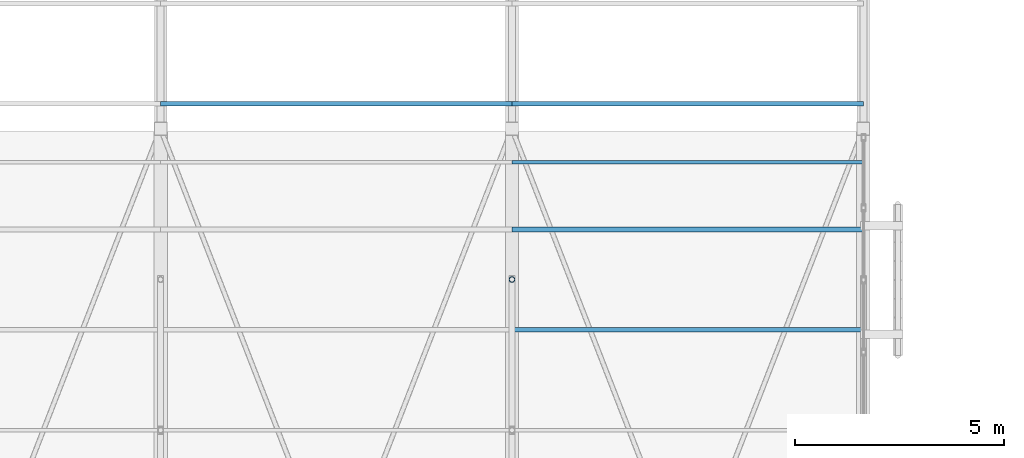
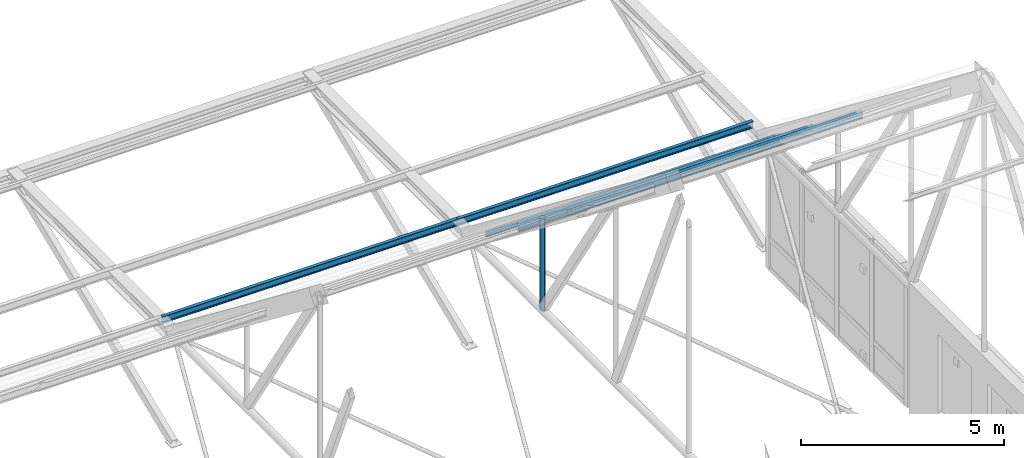
# One storey, part 130 of 217: 6 members.
"""IFC4 building model written with IfcOpenShell, lengths in metres."""

from ifc_helpers import new_model, si_unit, direction, frame, origin, origin_2d, place, context, subcontext, project, spatial, hollow_circle, i_section, extrude, material, material_profile, profile_set, type_object, element, save


model = new_model("IFC4")

# Units and contexts
model_context = context("Model", 3, precision=1e-05, world=origin(), true_north=direction((0.0, 1.0)))
body_context = subcontext(model_context, "Body", "Model", "MODEL_VIEW")
ifc_project = project(units=[si_unit("LENGTHUNIT", "METRE"), si_unit("AREAUNIT", "SQUARE_METRE"), si_unit("VOLUMEUNIT", "CUBIC_METRE"), si_unit("PLANEANGLEUNIT", "RADIAN"), si_unit("MASSUNIT", "GRAM", prefix="KILO")], contexts=[model_context])

# Site, building, storey
site_placement = place(None, origin())
site = spatial("IfcSite", under=ifc_project, at=site_placement, CompositionType="ELEMENT")
building_placement = place(site_placement, origin())
building = spatial("IfcBuilding", under=site, at=building_placement, Name="Mazaris Harbour Polytechnic", CompositionType="ELEMENT")
storey_placement = place(building_placement, frame((0.0, 0.0, 9.60009765625)))
storey = spatial("IfcBuildingStorey", under=building, at=storey_placement, Name="L02", CompositionType="ELEMENT", Elevation=9.60009765625)

# Members
ifc_material_1 = material(Name="Steel S355", Category="steel")
ifc_material_profile_1 = material_profile(ifc_material_1, i_section(OverallWidth=0.08203125, OverallDepth=0.159912109375, WebThickness=0.0048828125, FlangeThickness=0.00732421875, FilletRadius=0.009033203125, at=origin_2d()), Name="IPE 160")
ifc_profile_set_1 = profile_set([ifc_material_profile_1], Name="Steel S355")
member_type_1 = type_object("IfcMemberType", Name="Steel Purlin IPE160", PredefinedType="PURLIN", material=ifc_profile_set_1)
member_1_placement = place(storey_placement, frame((104.39990234375, 107.199951171875, 4.3310546875), z_axis=(1.0, 0.0, 0.0), x_axis=(0.0, 1.0, 0.0)))
element("IfcMember", 1, at=member_1_placement, inside=storey, type_object=member_type_1, Name="V1 Roof Purlin N-144", PredefinedType="PURLIN", context=body_context, shape_type="SweptSolid", body=[
    extrude(i_section(OverallWidth=0.08203125, OverallDepth=0.159912109375, WebThickness=0.0048828125, FlangeThickness=0.00732421875, FilletRadius=0.009033203125, at=origin_2d()), origin(), (0.0, 0.0, 1.0), 8.400146484375),
])
ifc_material_2 = material(Name="Steel S355", Category="steel")
ifc_material_profile_2 = material_profile(ifc_material_2, i_section(OverallWidth=0.10009765625, OverallDepth=0.199951171875, WebThickness=0.005615234375, FlangeThickness=0.008544921875, FilletRadius=0.011962890625, at=origin_2d()), Name="IPE 200")
ifc_profile_set_2 = profile_set([ifc_material_profile_2], Name="Steel S355")
member_type_2 = type_object("IfcMemberType", Name="Steel Purlin IPE200", PredefinedType="PURLIN", material=ifc_profile_set_2)
member_2_placement = place(storey_placement, frame((104.39990234375, 103.199951171875, 7.4130859375), z_axis=(1.0, 0.0, 0.0), x_axis=(0.0, 1.0, 0.0)))
element("IfcMember", 2, at=member_2_placement, inside=storey, type_object=member_type_2, Name="V1 Roof Purlin N-142", PredefinedType="PURLIN", context=body_context, shape_type="SweptSolid", body=[
    extrude(i_section(OverallWidth=0.10009765625, OverallDepth=0.199951171875, WebThickness=0.005615234375, FlangeThickness=0.008544921875, FilletRadius=0.011962890625, at=origin_2d()), origin(), (0.0, 0.0, 1.0), 8.400146484375),
])
ifc_material_3 = material(Name="Steel S355", Category="steel")
ifc_material_profile_3 = material_profile(ifc_material_3, i_section(OverallWidth=0.10009765625, OverallDepth=0.199951171875, WebThickness=0.005615234375, FlangeThickness=0.008544921875, FilletRadius=0.011962890625, at=origin_2d()), Name="IPE 200")
ifc_profile_set_3 = profile_set([ifc_material_profile_3], Name="Steel S355")
member_type_3 = type_object("IfcMemberType", Name="Steel Purlin IPE200 Exterior", PredefinedType="PURLIN", material=ifc_profile_set_3)
member_3_placement = place(storey_placement, frame((96.0, 108.60009765625, 3.85498046875), z_axis=(1.0, 0.0, 0.0), x_axis=(0.0, 1.0, 0.0)))
element("IfcMember", 3, at=member_3_placement, inside=storey, type_object=member_type_3, Name="V1 Roof Purlin N-124", PredefinedType="PURLIN", context=body_context, shape_type="SweptSolid", body=[
    extrude(i_section(OverallWidth=0.10009765625, OverallDepth=0.199951171875, WebThickness=0.005615234375, FlangeThickness=0.008544921875, FilletRadius=0.011962890625, at=origin_2d()), origin(), (0.0, 0.0, 1.0), 8.39990234375),
])
member_4_placement = place(storey_placement, frame((104.39990234375, 108.60009765625, 3.85498046875), z_axis=(1.0, 0.0, 0.0), x_axis=(0.0, 1.0, 0.0)))
element("IfcMember", 4, at=member_4_placement, inside=storey, type_object=member_type_3, Name="V1 Roof Purlin N-145", PredefinedType="PURLIN", context=body_context, shape_type="SweptSolid", body=[
    extrude(i_section(OverallWidth=0.10009765625, OverallDepth=0.199951171875, WebThickness=0.005615234375, FlangeThickness=0.008544921875, FilletRadius=0.011962890625, at=origin_2d()), origin(), (0.0, 0.0, 1.0), 8.400146484375),
])
ifc_material_4 = material(Name="Steel S355", Category="steel")
ifc_material_profile_4 = material_profile(ifc_material_4, i_section(OverallWidth=0.1201171875, OverallDepth=0.239990234375, WebThickness=0.006103515625, FlangeThickness=0.009765625, FilletRadius=0.014892578125, at=origin_2d()), Name="IPE 240")
ifc_profile_set_4 = profile_set([ifc_material_profile_4], Name="Steel S355")
member_type_4 = type_object("IfcMemberType", Name="Steel Purlin IPE240", PredefinedType="PURLIN", material=ifc_profile_set_4)
member_5_placement = place(storey_placement, frame((104.39990234375, 105.60009765625, 5.5166015625), z_axis=(1.0, 0.0, 0.0), x_axis=(0.0, 1.0, 0.0)))
element("IfcMember", 5, at=member_5_placement, inside=storey, type_object=member_type_4, Name="V1 Roof Purlin N-143", PredefinedType="PURLIN", context=body_context, shape_type="SweptSolid", body=[
    extrude(i_section(OverallWidth=0.1201171875, OverallDepth=0.239990234375, WebThickness=0.006103515625, FlangeThickness=0.009765625, FilletRadius=0.014892578125, at=origin_2d()), origin(), (0.0, 0.0, 1.0), 8.400146484375),
])
ifc_material_5 = material(Name="Steel S355", Category="steel")
ifc_material_profile_5 = material_profile(ifc_material_5, hollow_circle(Radius=0.06982421875, WallThickness=0.008056640625, at=origin_2d()), Name="CHS 139.7x8.0")
ifc_profile_set_5 = profile_set([ifc_material_profile_5], Name="Steel S355")
member_type_5 = type_object("IfcMemberType", Name="Steel Truss Strut CHS139", PredefinedType="STRUT", material=ifc_profile_set_5)
member_6_placement = place(storey_placement, frame((104.39990234375, 104.39990234375, 3.75), z_axis=(0.0, 0.0, 1.0), x_axis=(1.0, 0.0, 0.0)))
element("IfcMember", 6, at=member_6_placement, inside=storey, type_object=member_type_5, Name="Truss 7 Web Post N2", PredefinedType="STRUT", context=body_context, shape_type="SweptSolid", body=[
    extrude(hollow_circle(Radius=0.06982421875, WallThickness=0.008056640625, at=origin_2d()), origin(), (0.0, 0.0, 1.0), 2.783203125),
])

save(model, "model.ifc")
